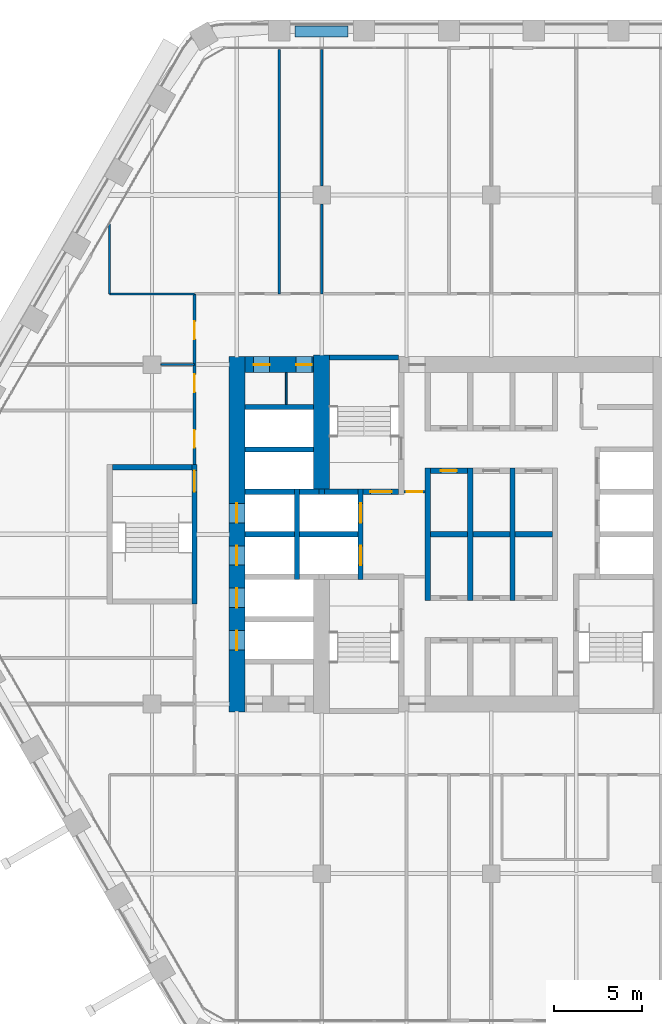
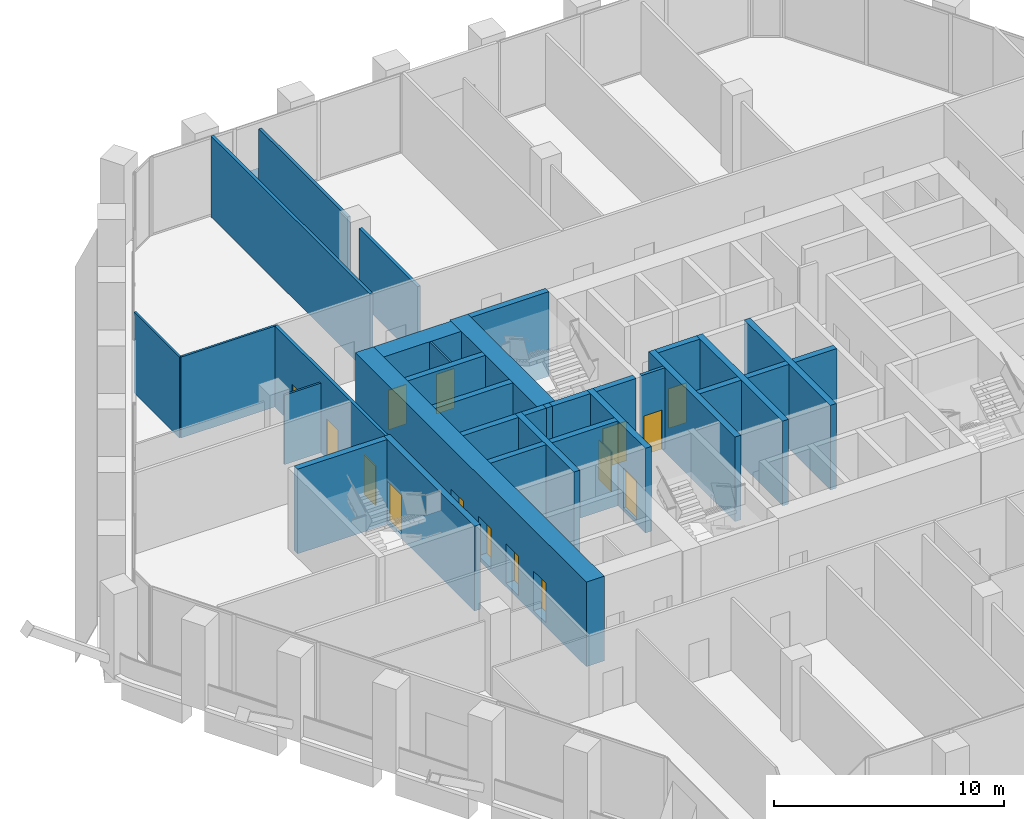
# One storey, part 17 of 26: 34 walls, 15 doors, 15 openings.
"""IFC4 building model written with IfcOpenShell, lengths in metres."""

from ifc_helpers import new_model, si_unit, direction, frame, frame_2d, origin, place, context, subcontext, project, spatial, rectangle, extrude, material, layer, layer_set, type_object, element, fill, save


model = new_model("IFC4")

# Units and contexts
model_context = context("Model", 3, precision=1e-05, world=origin(), true_north=direction((0.0, 1.0)))
body_context = subcontext(model_context, "Body", "Model", "MODEL_VIEW")
ifc_project = project(units=[si_unit("LENGTHUNIT", "METRE"), si_unit("AREAUNIT", "SQUARE_METRE"), si_unit("VOLUMEUNIT", "CUBIC_METRE"), si_unit("PLANEANGLEUNIT", "RADIAN"), si_unit("MASSUNIT", "GRAM", prefix="KILO")], contexts=[model_context])

# Site, building, storey
site_placement = place(None, origin())
site = spatial("IfcSite", under=ifc_project, at=site_placement, CompositionType="ELEMENT")
building_placement = place(site_placement, origin())
building = spatial("IfcBuilding", under=site, at=building_placement, Name="Kolab Exchange Tower", CompositionType="ELEMENT")
storey_placement = place(building_placement, frame((0.0, 0.0, 104.89990234375)))
storey = spatial("IfcBuildingStorey", under=building, at=storey_placement, Name="L20", CompositionType="ELEMENT", Elevation=104.89990234375)

# Wall, openings, doors
ifc_material_1 = material(Name="Concrete C70/85", Category="concrete")
ifc_layer_1 = layer(ifc_material_1, 0.89990234375)
ifc_layer_set_1 = layer_set([ifc_layer_1], Name="Concrete C70/85")
wall_type_1 = type_object("IfcWallType", Name="CORE WALL 900 C70/85", PredefinedType="SHEAR", material=ifc_layer_set_1)
wall_1_placement = place(storey_placement, frame((-13.949951171875, 9.60009765625, -0.199951171875), z_axis=(0.0, 0.0, 1.0), x_axis=(1.0, 0.0, 0.0)))
wall_1 = element("IfcWall", 1, at=wall_1_placement, inside=storey, type_object=wall_type_1, Name="wall/L20/core/051", PredefinedType="SHEAR", context=body_context, shape_type="SweptSolid", body=[
    extrude(rectangle(XDim=3.89990234375, YDim=0.89990234375, at=frame_2d((1.949951171875, 0.0))), origin(), (0.0, 0.0, 1.0), 4.5),
])
opening_1_placement = place(wall_1_placement, frame((0.5, 0.0, 0.199951171875)))
opening_1 = element("IfcOpeningElement", 2, at=opening_1_placement, cuts=wall_1, Name="Opening D6-226", PredefinedType="OPENING", context=body_context, shape_type="SweptSolid", body=[
    extrude(rectangle(XDim=0.89990234375, YDim=2.10009765625, at=frame_2d((0.449951171875, 1.050048828125))), frame((0.0, 0.4599609375, 0.0), z_axis=(0.0, -1.0, 0.0), x_axis=(1.0, 0.0, 0.0)), (0.0, 0.0, 1.0), 0.919921875),
])
opening_2_placement = place(wall_1_placement, frame((2.89990234375, 0.0, 0.199951171875)))
opening_2 = element("IfcOpeningElement", 3, at=opening_2_placement, cuts=wall_1, Name="Opening D6-227", PredefinedType="OPENING", context=body_context, shape_type="SweptSolid", body=[
    extrude(rectangle(XDim=0.89990234375, YDim=2.10009765625, at=frame_2d((0.449951171875, 1.050048828125))), frame((0.0, 0.4599609375, 0.0), z_axis=(0.0, -1.0, 0.0), x_axis=(1.0, 0.0, 0.0)), (0.0, 0.0, 1.0), 0.919921875),
])
ifc_material_2 = material(Name="Steel S235", Category="steel")
door_type_1 = type_object("IfcDoorType", Name="CORE DOOR 900 EI 120", OperationType="SINGLE_SWING_LEFT", PredefinedType="DOOR", material=ifc_material_2)
door_1_placement = place(opening_1_placement, frame((0.89990234375, 0.0, 0.0), z_axis=(0.0, 0.0, 1.0), x_axis=(-1.0, 0.0, 0.0)))
door_1 = element("IfcDoor", 4, at=door_1_placement, inside=storey, type_object=door_type_1, Name="Service room door", OperationType="SINGLE_SWING_LEFT", OverallHeight=2.10009765625, OverallWidth=0.89990234375, PredefinedType="DOOR", context=body_context, shape_type="SweptSolid", body=[
    extrude(rectangle(XDim=0.89990234375, YDim=2.10009765625, at=frame_2d((0.449951171875, 1.050048828125))), frame((0.0, 0.02490234375, 0.0), z_axis=(0.0, -1.0, 0.0), x_axis=(1.0, 0.0, 0.0)), (0.0, 0.0, 1.0), 0.050048828125),
])
fill(opening_1, door_1)
door_2_placement = place(opening_2_placement, frame((0.89990234375, 0.0, 0.0), z_axis=(0.0, 0.0, 1.0), x_axis=(-1.0, 0.0, 0.0)))
door_2 = element("IfcDoor", 5, at=door_2_placement, inside=storey, type_object=door_type_1, Name="Service room door", OperationType="SINGLE_SWING_LEFT", OverallHeight=2.10009765625, OverallWidth=0.89990234375, PredefinedType="DOOR", context=body_context, shape_type="SweptSolid", body=[
    extrude(rectangle(XDim=0.89990234375, YDim=2.10009765625, at=frame_2d((0.449951171875, 1.050048828125))), frame((0.0, 0.02490234375, 0.0), z_axis=(0.0, -1.0, 0.0), x_axis=(1.0, 0.0, 0.0)), (0.0, 0.0, 1.0), 0.050048828125),
])
fill(opening_2, door_2)

wall_2_placement = place(storey_placement, frame((-14.39990234375, -10.050048828125, -0.199951171875), z_axis=(0.0, 0.0, 1.0), x_axis=(0.0, 1.0, 0.0)))
wall_2 = element("IfcWall", 6, at=wall_2_placement, inside=storey, type_object=wall_type_1, Name="wall/L20/core/057", PredefinedType="SHEAR", context=body_context, shape_type="SweptSolid", body=[
    extrude(rectangle(XDim=20.10009765625, YDim=0.89990234375, at=frame_2d((10.050048828125, 0.0))), origin(), (0.0, 0.0, 1.0), 4.5),
])
opening_3_placement = place(wall_2_placement, frame((3.5, 0.0, 0.199951171875)))
opening_3 = element("IfcOpeningElement", 7, at=opening_3_placement, cuts=wall_2, Name="Opening LD1-073", PredefinedType="OPENING", context=body_context, shape_type="SweptSolid", body=[
    extrude(rectangle(XDim=1.10009765625, YDim=2.10009765625, at=frame_2d((0.550048828125, 1.050048828125))), frame((0.0, 0.4599609375, 0.0), z_axis=(0.0, -1.0, 0.0), x_axis=(1.0, 0.0, 0.0)), (0.0, 0.0, 1.0), 0.919921875),
])
opening_4_placement = place(wall_2_placement, frame((5.89990234375, 0.0, 0.199951171875)))
opening_4 = element("IfcOpeningElement", 8, at=opening_4_placement, cuts=wall_2, Name="Opening LD1-074", PredefinedType="OPENING", context=body_context, shape_type="SweptSolid", body=[
    extrude(rectangle(XDim=1.10009765625, YDim=2.10009765625, at=frame_2d((0.550048828125, 1.050048828125))), frame((0.0, 0.4599609375, 0.0), z_axis=(0.0, -1.0, 0.0), x_axis=(1.0, 0.0, 0.0)), (0.0, 0.0, 1.0), 0.919921875),
])
opening_5_placement = place(wall_2_placement, frame((8.300048828125, 0.0, 0.199951171875)))
opening_5 = element("IfcOpeningElement", 9, at=opening_5_placement, cuts=wall_2, Name="Opening LD1-075", PredefinedType="OPENING", context=body_context, shape_type="SweptSolid", body=[
    extrude(rectangle(XDim=1.10009765625, YDim=2.10009765625, at=frame_2d((0.550048828125, 1.050048828125))), frame((0.0, 0.4599609375, 0.0), z_axis=(0.0, -1.0, 0.0), x_axis=(1.0, 0.0, 0.0)), (0.0, 0.0, 1.0), 0.919921875),
])
opening_6_placement = place(wall_2_placement, frame((10.699951171875, 0.0, 0.199951171875)))
opening_6 = element("IfcOpeningElement", 10, at=opening_6_placement, cuts=wall_2, Name="Opening LD1-076", PredefinedType="OPENING", context=body_context, shape_type="SweptSolid", body=[
    extrude(rectangle(XDim=1.10009765625, YDim=2.10009765625, at=frame_2d((0.550048828125, 1.050048828125))), frame((0.0, 0.4599609375, 0.0), z_axis=(0.0, -1.0, 0.0), x_axis=(1.0, 0.0, 0.0)), (0.0, 0.0, 1.0), 0.919921875),
])
ifc_material_3 = material(Name="Stainless steel 316", Category="steel")
door_type_2 = type_object("IfcDoorType", Name="LANDING DOOR 1100 PASSENGER", OperationType="DOUBLE_DOOR_SLIDING", PredefinedType="DOOR", material=ifc_material_3)
door_3_placement = place(opening_3_placement, origin())
door_3 = element("IfcDoor", 11, at=door_3_placement, inside=storey, type_object=door_type_2, Name="Landing door LR5", OperationType="DOUBLE_DOOR_SLIDING", OverallHeight=2.10009765625, OverallWidth=1.10009765625, PredefinedType="DOOR", context=body_context, shape_type="SweptSolid", body=[
    extrude(rectangle(XDim=1.10009765625, YDim=2.10009765625, at=frame_2d((0.550048828125, 1.050048828125))), frame((0.0, 0.02490234375, 0.0), z_axis=(0.0, -1.0, 0.0), x_axis=(1.0, 0.0, 0.0)), (0.0, 0.0, 1.0), 0.050048828125),
])
fill(opening_3, door_3)
door_4_placement = place(opening_4_placement, origin())
door_4 = element("IfcDoor", 12, at=door_4_placement, inside=storey, type_object=door_type_2, Name="Landing door LR6", OperationType="DOUBLE_DOOR_SLIDING", OverallHeight=2.10009765625, OverallWidth=1.10009765625, PredefinedType="DOOR", context=body_context, shape_type="SweptSolid", body=[
    extrude(rectangle(XDim=1.10009765625, YDim=2.10009765625, at=frame_2d((0.550048828125, 1.050048828125))), frame((0.0, 0.02490234375, 0.0), z_axis=(0.0, -1.0, 0.0), x_axis=(1.0, 0.0, 0.0)), (0.0, 0.0, 1.0), 0.050048828125),
])
fill(opening_4, door_4)
door_5_placement = place(opening_5_placement, origin())
door_5 = element("IfcDoor", 13, at=door_5_placement, inside=storey, type_object=door_type_2, Name="Landing door LR7", OperationType="DOUBLE_DOOR_SLIDING", OverallHeight=2.10009765625, OverallWidth=1.10009765625, PredefinedType="DOOR", context=body_context, shape_type="SweptSolid", body=[
    extrude(rectangle(XDim=1.10009765625, YDim=2.10009765625, at=frame_2d((0.550048828125, 1.050048828125))), frame((0.0, 0.02490234375, 0.0), z_axis=(0.0, -1.0, 0.0), x_axis=(1.0, 0.0, 0.0)), (0.0, 0.0, 1.0), 0.050048828125),
])
fill(opening_5, door_5)
door_6_placement = place(opening_6_placement, origin())
door_6 = element("IfcDoor", 14, at=door_6_placement, inside=storey, type_object=door_type_2, Name="Landing door LR8", OperationType="DOUBLE_DOOR_SLIDING", OverallHeight=2.10009765625, OverallWidth=1.10009765625, PredefinedType="DOOR", context=body_context, shape_type="SweptSolid", body=[
    extrude(rectangle(XDim=1.10009765625, YDim=2.10009765625, at=frame_2d((0.550048828125, 1.050048828125))), frame((0.0, 0.02490234375, 0.0), z_axis=(0.0, -1.0, 0.0), x_axis=(1.0, 0.0, 0.0)), (0.0, 0.0, 1.0), 0.050048828125),
])
fill(opening_6, door_6)

# Walls
wall_3_placement = place(storey_placement, frame((-9.60009765625, 2.550048828125, -0.199951171875), z_axis=(0.0, 0.0, 1.0), x_axis=(0.0, 1.0, 0.0)))
element("IfcWall", 15, at=wall_3_placement, inside=storey, type_object=wall_type_1, Name="wall/L20/core/062", PredefinedType="SHEAR", context=body_context, shape_type="SweptSolid", body=[
    extrude(rectangle(XDim=7.599853515625, YDim=0.89990234375, at=frame_2d((3.7998046875, 0.0))), origin(), (0.0, 0.0, 1.0), 4.5),
])
ifc_material_4 = material(Name="Concrete C50/60", Category="concrete")
ifc_layer_2 = layer(ifc_material_4, 0.300048828125)
ifc_layer_set_2 = layer_set([ifc_layer_2], Name="Concrete C50/60")
wall_type_2 = type_object("IfcWallType", Name="LIFT SHAFT WALL 300 C50/60", PredefinedType="STANDARD", material=ifc_layer_set_2)
wall_4_placement = place(storey_placement, frame((-13.949951171875, 0.0, -0.199951171875), z_axis=(0.0, 0.0, 1.0), x_axis=(1.0, 0.0, 0.0)))
element("IfcWall", 16, at=wall_4_placement, inside=storey, type_object=wall_type_2, Name="wall/L20/core/024", PredefinedType="STANDARD", context=body_context, shape_type="SweptSolid", body=[
    extrude(rectangle(XDim=2.800048828125, YDim=0.300048828125, at=frame_2d((1.39990234375, 0.0))), origin(), (0.0, 0.0, 1.0), 4.5),
])
wall_5_placement = place(storey_placement, frame((-10.85009765625, 0.0, -0.199951171875), z_axis=(0.0, 0.0, 1.0), x_axis=(1.0, 0.0, 0.0)))
element("IfcWall", 17, at=wall_5_placement, inside=storey, type_object=wall_type_2, Name="wall/L20/core/025", PredefinedType="STANDARD", context=body_context, shape_type="SweptSolid", body=[
    extrude(rectangle(XDim=3.300048828125, YDim=0.300048828125, at=frame_2d((1.64990234375, 0.0))), origin(), (0.0, 0.0, 1.0), 4.5),
])
wall_6_placement = place(storey_placement, frame((-3.449951171875, 0.0, -0.199951171875), z_axis=(0.0, 0.0, 1.0), x_axis=(1.0, 0.0, 0.0)))
element("IfcWall", 18, at=wall_6_placement, inside=storey, type_object=wall_type_2, Name="wall/L20/core/026", PredefinedType="STANDARD", context=body_context, shape_type="SweptSolid", body=[
    extrude(rectangle(XDim=2.099853515625, YDim=0.300048828125, at=frame_2d((1.0498046875, 0.0))), origin(), (0.0, 0.0, 1.0), 4.5),
])
wall_7_placement = place(storey_placement, frame((-1.050048828125, 0.0, -0.199951171875), z_axis=(0.0, 0.0, 1.0), x_axis=(1.0, 0.0, 0.0)))
element("IfcWall", 19, at=wall_7_placement, inside=storey, type_object=wall_type_2, Name="wall/L20/core/027", PredefinedType="STANDARD", context=body_context, shape_type="SweptSolid", body=[
    extrude(rectangle(XDim=2.10009765625, YDim=0.300048828125, at=frame_2d((1.050048828125, 0.0))), origin(), (0.0, 0.0, 1.0), 4.5),
])
wall_8_placement = place(storey_placement, frame((1.35009765625, 0.0, -0.199951171875), z_axis=(0.0, 0.0, 1.0), x_axis=(1.0, 0.0, 0.0)))
element("IfcWall", 20, at=wall_8_placement, inside=storey, type_object=wall_type_2, Name="wall/L20/core/028", PredefinedType="STANDARD", context=body_context, shape_type="SweptSolid", body=[
    extrude(rectangle(XDim=2.099853515625, YDim=0.300048828125, at=frame_2d((1.0498046875, 0.0))), origin(), (0.0, 0.0, 1.0), 4.5),
])
wall_9_placement = place(storey_placement, frame((-13.949951171875, 2.39990234375, -0.199951171875), z_axis=(0.0, 0.0, 1.0), x_axis=(1.0, 0.0, 0.0)))
element("IfcWall", 21, at=wall_9_placement, inside=storey, type_object=wall_type_2, Name="wall/L20/core/031", PredefinedType="STANDARD", context=body_context, shape_type="SweptSolid", body=[
    extrude(rectangle(XDim=2.800048828125, YDim=0.300048828125, at=frame_2d((1.39990234375, 0.0))), origin(), (0.0, 0.0, 1.0), 4.5),
])
wall_10_placement = place(storey_placement, frame((-10.85009765625, 2.39990234375, -0.199951171875), z_axis=(0.0, 0.0, 1.0), x_axis=(1.0, 0.0, 0.0)))
element("IfcWall", 22, at=wall_10_placement, inside=storey, type_object=wall_type_2, Name="wall/L20/core/032", PredefinedType="STANDARD", context=body_context, shape_type="SweptSolid", body=[
    extrude(rectangle(XDim=1.10009765625, YDim=0.300048828125, at=frame_2d((0.550048828125, 0.0))), origin(), (0.0, 0.0, 1.0), 4.5),
])

# Wall, opening, door
wall_11_placement = place(storey_placement, frame((-3.449951171875, 3.60009765625, -0.199951171875), z_axis=(0.0, 0.0, 1.0), x_axis=(1.0, 0.0, 0.0)))
wall_11 = element("IfcWall", 23, at=wall_11_placement, inside=storey, type_object=wall_type_2, Name="wall/L20/core/037", PredefinedType="STANDARD", context=body_context, shape_type="SweptSolid", body=[
    extrude(rectangle(XDim=2.099853515625, YDim=0.300048828125, at=frame_2d((1.0498046875, 0.0))), origin(), (0.0, 0.0, 1.0), 4.5),
])
opening_7_placement = place(wall_11_placement, frame((0.60009765625, 0.0, 0.199951171875)))
opening_7 = element("IfcOpeningElement", 24, at=opening_7_placement, cuts=wall_11, Name="Opening D6-196", PredefinedType="OPENING", context=body_context, shape_type="SweptSolid", body=[
    extrude(rectangle(XDim=0.89990234375, YDim=2.10009765625, at=frame_2d((0.449951171875, 1.050048828125))), frame((0.0, 0.16015625, 0.0), z_axis=(0.0, -1.0, 0.0), x_axis=(1.0, 0.0, 0.0)), (0.0, 0.0, 1.0), 0.320068359375),
])
door_7_placement = place(opening_7_placement, frame((0.89990234375, 0.0, 0.0), z_axis=(0.0, 0.0, 1.0), x_axis=(-1.0, 0.0, 0.0)))
door_7 = element("IfcDoor", 25, at=door_7_placement, inside=storey, type_object=door_type_1, Name="Service room door", OperationType="SINGLE_SWING_LEFT", OverallHeight=2.10009765625, OverallWidth=0.89990234375, PredefinedType="DOOR", context=body_context, shape_type="SweptSolid", body=[
    extrude(rectangle(XDim=0.89990234375, YDim=2.10009765625, at=frame_2d((0.449951171875, 1.050048828125))), frame((0.0, 0.02490234375, 0.0), z_axis=(0.0, -1.0, 0.0), x_axis=(1.0, 0.0, 0.0)), (0.0, 0.0, 1.0), 0.050048828125),
])
fill(opening_7, door_7)

# Walls
for number, where, z_axis, x_axis, name in (
    (26, (-13.949951171875, 4.800048828125, -0.199951171875), (0.0, 0.0, 1.0), (1.0, 0.0, 0.0), "wall/L20/core/042"),
    (27, (-13.949951171875, 7.199951171875, -0.199951171875), (0.0, 0.0, 1.0), (1.0, 0.0, 0.0), "wall/L20/core/048"),
):
    element("IfcWall", number, at=place(storey_placement, frame(where, z_axis=z_axis, x_axis=x_axis)), inside=storey, type_object=wall_type_2, Name=name, PredefinedType="STANDARD", context=body_context, shape_type="SweptSolid", body=[
        extrude(rectangle(XDim=3.89990234375, YDim=0.300048828125, at=frame_2d((1.949951171875, 0.0))), origin(), (0.0, 0.0, 1.0), 4.5),
    ])
wall_12_placement = place(storey_placement, frame((-11.0, -2.550048828125, -0.199951171875), z_axis=(0.0, 0.0, 1.0), x_axis=(0.0, 1.0, 0.0)))
element("IfcWall", 28, at=wall_12_placement, inside=storey, type_object=wall_type_2, Name="wall/L20/core/058", PredefinedType="STANDARD", context=body_context, shape_type="SweptSolid", body=[
    extrude(rectangle(XDim=5.10009765625, YDim=0.300048828125, at=frame_2d((2.550048828125, 0.0))), origin(), (0.0, 0.0, 1.0), 4.5),
])

# Wall, openings, doors
wall_13_placement = place(storey_placement, frame((-7.39990234375, -2.550048828125, -0.199951171875), z_axis=(0.0, 0.0, 1.0), x_axis=(0.0, 1.0, 0.0)))
wall_13 = element("IfcWall", 29, at=wall_13_placement, inside=storey, type_object=wall_type_2, Name="wall/L20/core/063", PredefinedType="STANDARD", context=body_context, shape_type="SweptSolid", body=[
    extrude(rectangle(XDim=5.10009765625, YDim=0.300048828125, at=frame_2d((2.550048828125, 0.0))), origin(), (0.0, 0.0, 1.0), 4.5),
])
opening_8_placement = place(wall_13_placement, frame((0.800048828125, 0.0, 0.199951171875)))
opening_8 = element("IfcOpeningElement", 30, at=opening_8_placement, cuts=wall_13, Name="Opening LD2-017", PredefinedType="OPENING", context=body_context, shape_type="SweptSolid", body=[
    extrude(rectangle(XDim=1.10009765625, YDim=2.10009765625, at=frame_2d((0.550048828125, 1.050048828125))), frame((0.0, 0.16015625, 0.0), z_axis=(0.0, -1.0, 0.0), x_axis=(1.0, 0.0, 0.0)), (0.0, 0.0, 1.0), 0.320068359375),
])
opening_9_placement = place(wall_13_placement, frame((3.199951171875, 0.0, 0.199951171875)))
opening_9 = element("IfcOpeningElement", 31, at=opening_9_placement, cuts=wall_13, Name="Opening LD2-018", PredefinedType="OPENING", context=body_context, shape_type="SweptSolid", body=[
    extrude(rectangle(XDim=1.10009765625, YDim=2.10009765625, at=frame_2d((0.550048828125, 1.050048828125))), frame((0.0, 0.16015625, 0.0), z_axis=(0.0, -1.0, 0.0), x_axis=(1.0, 0.0, 0.0)), (0.0, 0.0, 1.0), 0.320068359375),
])
door_type_3 = type_object("IfcDoorType", Name="LANDING DOOR 1100 FIREFIGHTING", OperationType="DOUBLE_DOOR_SLIDING", PredefinedType="DOOR", material=ifc_material_3)
door_8_placement = place(opening_8_placement, origin())
door_8 = element("IfcDoor", 32, at=door_8_placement, inside=storey, type_object=door_type_3, Name="Landing door FF1", OperationType="DOUBLE_DOOR_SLIDING", OverallHeight=2.10009765625, OverallWidth=1.10009765625, PredefinedType="DOOR", context=body_context, shape_type="SweptSolid", body=[
    extrude(rectangle(XDim=1.10009765625, YDim=2.10009765625, at=frame_2d((0.550048828125, 1.050048828125))), frame((0.0, 0.02490234375, 0.0), z_axis=(0.0, -1.0, 0.0), x_axis=(1.0, 0.0, 0.0)), (0.0, 0.0, 1.0), 0.050048828125),
])
fill(opening_8, door_8)
door_9_placement = place(opening_9_placement, origin())
door_9 = element("IfcDoor", 33, at=door_9_placement, inside=storey, type_object=door_type_3, Name="Landing door FF2", OperationType="DOUBLE_DOOR_SLIDING", OverallHeight=2.10009765625, OverallWidth=1.10009765625, PredefinedType="DOOR", context=body_context, shape_type="SweptSolid", body=[
    extrude(rectangle(XDim=1.10009765625, YDim=2.10009765625, at=frame_2d((0.550048828125, 1.050048828125))), frame((0.0, 0.02490234375, 0.0), z_axis=(0.0, -1.0, 0.0), x_axis=(1.0, 0.0, 0.0)), (0.0, 0.0, 1.0), 0.050048828125),
])
fill(opening_9, door_9)

# Walls
for number, where, z_axis, x_axis, name in (
    (34, (-3.60009765625, -3.75, -0.199951171875), (0.0, 0.0, 1.0), (0.0, 1.0, 0.0), "wall/L20/core/067"),
    (35, (-1.199951171875, -3.75, -0.199951171875), (0.0, 0.0, 1.0), (0.0, 1.0, 0.0), "wall/L20/core/070"),
    (36, (1.199951171875, -3.75, -0.199951171875), (0.0, 0.0, 1.0), (0.0, 1.0, 0.0), "wall/L20/core/073"),
):
    element("IfcWall", number, at=place(storey_placement, frame(where, z_axis=z_axis, x_axis=x_axis)), inside=storey, type_object=wall_type_2, Name=name, PredefinedType="STANDARD", context=body_context, shape_type="SweptSolid", body=[
        extrude(rectangle(XDim=7.5, YDim=0.300048828125, at=frame_2d((3.75, 0.0))), origin(), (0.0, 0.0, 1.0), 4.5),
    ])
ifc_material_5 = material(Name="Gypsum board", Category="gypsum")
ifc_layer_3 = layer(ifc_material_5, 0.10009765625)
ifc_layer_set_3 = layer_set([ifc_layer_3], Name="Gypsum board")
wall_type_3 = type_object("IfcWallType", Name="PARTITION 100", PredefinedType="PARTITIONING", material=ifc_layer_set_3)
wall_14_placement = place(storey_placement, frame((-11.60009765625, 7.35009765625, 0.0), z_axis=(0.0, 0.0, 1.0), x_axis=(0.0, 1.0, 0.0)))
element("IfcWall", 37, at=wall_14_placement, inside=storey, type_object=wall_type_3, Name="Partition 027", PredefinedType="PARTITIONING", context=body_context, shape_type="SweptSolid", body=[
    extrude(rectangle(XDim=1.7998046875, YDim=0.10009765625, at=frame_2d((0.89990234375, 0.0))), origin(), (0.0, 0.0, 1.0), 4.300048828125),
])
wall_15_placement = place(storey_placement, frame((-21.60009765625, 13.60009765625, 0.0), z_axis=(0.0, 0.0, 1.0), x_axis=(0.0, 1.0, 0.0)))
element("IfcWall", 38, at=wall_15_placement, inside=storey, type_object=wall_type_3, Name="Partition 034", PredefinedType="PARTITIONING", context=body_context, shape_type="SweptSolid", body=[
    extrude(rectangle(XDim=3.944580078125, YDim=0.10009765625, at=frame_2d((1.97216796875, 0.0))), origin(), (0.0, 0.0, 1.0), 4.300048828125),
])
wall_16_placement = place(storey_placement, frame((-18.699951171875, 9.60009765625, 0.0), z_axis=(0.0, 0.0, 1.0), x_axis=(1.0, 0.0, 0.0)))
element("IfcWall", 39, at=wall_16_placement, inside=storey, type_object=wall_type_3, Name="Partition 051", PredefinedType="PARTITIONING", context=body_context, shape_type="SweptSolid", body=[
    extrude(rectangle(XDim=1.89990234375, YDim=0.10009765625, at=frame_2d((0.949951171875, 0.0))), origin(), (0.0, 0.0, 1.0), 3.692138671875),
])
wall_17_placement = place(storey_placement, frame((-21.60009765625, 13.60009765625, 0.0), z_axis=(0.0, 0.0, 1.0), x_axis=(1.0, 0.0, 0.0)))
element("IfcWall", 40, at=wall_17_placement, inside=storey, type_object=wall_type_3, Name="Partition 054", PredefinedType="PARTITIONING", context=body_context, shape_type="SweptSolid", body=[
    extrude(rectangle(XDim=4.800048828125, YDim=0.10009765625, at=frame_2d((2.39990234375, 0.0))), origin(), (0.0, 0.0, 1.0), 4.300048828125),
])
ifc_layer_4 = layer(ifc_material_5, 0.14990234375)
ifc_layer_set_4 = layer_set([ifc_layer_4], Name="Gypsum board")
wall_type_4 = type_object("IfcWallType", Name="PARTITION 150 FIRE-RATED", PredefinedType="PARTITIONING", material=ifc_layer_set_4)
wall_18_placement = place(storey_placement, frame((-9.60009765625, 13.60009765625, 0.0), z_axis=(0.0, 0.0, 1.0), x_axis=(0.0, 1.0, 0.0)))
element("IfcWall", 41, at=wall_18_placement, inside=storey, type_object=wall_type_4, Name="Partition 025", PredefinedType="PARTITIONING", context=body_context, shape_type="SweptSolid", body=[
    extrude(rectangle(XDim=5.099853515625, YDim=0.14990234375, at=frame_2d((2.5498046875, 0.0))), origin(), (0.0, 0.0, 1.0), 3.843017578125),
])
wall_19_placement = place(storey_placement, frame((-9.60009765625, 19.699951171875, 0.0), z_axis=(0.0, 0.0, 1.0), x_axis=(0.0, 1.0, 0.0)))
element("IfcWall", 42, at=wall_19_placement, inside=storey, type_object=wall_type_4, Name="Partition 026", PredefinedType="PARTITIONING", context=body_context, shape_type="SweptSolid", body=[
    extrude(rectangle(XDim=7.728515625, YDim=0.14990234375, at=frame_2d((3.8642578125, 0.0))), origin(), (0.0, 0.0, 1.0), 3.843017578125),
])
wall_20_placement = place(storey_placement, frame((-12.0, 13.60009765625, 0.0), z_axis=(0.0, 0.0, 1.0), x_axis=(0.0, 1.0, 0.0)))
element("IfcWall", 43, at=wall_20_placement, inside=storey, type_object=wall_type_4, Name="Partition 028", PredefinedType="PARTITIONING", context=body_context, shape_type="SweptSolid", body=[
    extrude(rectangle(XDim=13.828369140625, YDim=0.14990234375, at=frame_2d((6.9140625, 0.0))), origin(), (0.0, 0.0, 1.0), 4.300048828125),
])

# Wall, openings, doors
wall_21_placement = place(storey_placement, frame((-16.800048828125, 3.949951171875, 0.0), z_axis=(0.0, 0.0, 1.0), x_axis=(0.0, 1.0, 0.0)))
wall_21 = element("IfcWall", 44, at=wall_21_placement, inside=storey, type_object=wall_type_4, Name="Partition 032", PredefinedType="PARTITIONING", context=body_context, shape_type="SweptSolid", body=[
    extrude(rectangle(XDim=9.650146484375, YDim=0.14990234375, at=frame_2d((4.8251953125, 0.0))), origin(), (0.0, 0.0, 1.0), 4.300048828125),
])
opening_10_placement = place(wall_21_placement, frame((0.949951171875, 0.0, 0.0)))
opening_10 = element("IfcOpeningElement", 45, at=opening_10_placement, cuts=wall_21, Name="Opening D1-279", PredefinedType="OPENING", context=body_context, shape_type="SweptSolid", body=[
    extrude(rectangle(XDim=1.0, YDim=2.10009765625, at=frame_2d((0.5, 1.050048828125))), frame((0.0, 0.0849609375, 0.0), z_axis=(0.0, -1.0, 0.0), x_axis=(1.0, 0.0, 0.0)), (0.0, 0.0, 1.0), 0.169921875),
])
opening_11_placement = place(wall_21_placement, frame((4.094970703125, 0.0, 0.0)))
opening_11 = element("IfcOpeningElement", 46, at=opening_11_placement, cuts=wall_21, Name="Opening D1-280", PredefinedType="OPENING", context=body_context, shape_type="SweptSolid", body=[
    extrude(rectangle(XDim=1.0, YDim=2.10009765625, at=frame_2d((0.5, 1.050048828125))), frame((0.0, 0.0849609375, 0.0), z_axis=(0.0, -1.0, 0.0), x_axis=(1.0, 0.0, 0.0)), (0.0, 0.0, 1.0), 0.169921875),
])
opening_12_placement = place(wall_21_placement, frame((7.094970703125, 0.0, 0.0)))
opening_12 = element("IfcOpeningElement", 47, at=opening_12_placement, cuts=wall_21, Name="Opening D1-281", PredefinedType="OPENING", context=body_context, shape_type="SweptSolid", body=[
    extrude(rectangle(XDim=1.0, YDim=2.10009765625, at=frame_2d((0.5, 1.050048828125))), frame((0.0, 0.0849609375, 0.0), z_axis=(0.0, -1.0, 0.0), x_axis=(1.0, 0.0, 0.0)), (0.0, 0.0, 1.0), 0.169921875),
])
door_type_4 = type_object("IfcDoorType", Name="FLUSH DOOR 1000 FD60", OperationType="SINGLE_SWING_LEFT", PredefinedType="DOOR", material=ifc_material_2)
door_10_placement = place(opening_10_placement, origin())
door_10 = element("IfcDoor", 48, at=door_10_placement, inside=storey, type_object=door_type_4, Name="Door L20-073", OperationType="SINGLE_SWING_RIGHT", OverallHeight=2.10009765625, OverallWidth=1.0, PredefinedType="DOOR", context=body_context, shape_type="SweptSolid", body=[
    extrude(rectangle(XDim=1.0, YDim=2.10009765625, at=frame_2d((0.5, 1.050048828125))), frame((0.0, 0.02490234375, 0.0), z_axis=(0.0, -1.0, 0.0), x_axis=(1.0, 0.0, 0.0)), (0.0, 0.0, 1.0), 0.050048828125),
])
fill(opening_10, door_10)
door_11_placement = place(opening_11_placement, origin())
door_11 = element("IfcDoor", 49, at=door_11_placement, inside=storey, type_object=door_type_4, Name="Door L20-074", OperationType="SINGLE_SWING_RIGHT", OverallHeight=2.10009765625, OverallWidth=1.0, PredefinedType="DOOR", context=body_context, shape_type="SweptSolid", body=[
    extrude(rectangle(XDim=1.0, YDim=2.10009765625, at=frame_2d((0.5, 1.050048828125))), frame((0.0, 0.02490234375, 0.0), z_axis=(0.0, -1.0, 0.0), x_axis=(1.0, 0.0, 0.0)), (0.0, 0.0, 1.0), 0.050048828125),
])
fill(opening_11, door_11)
door_12_placement = place(opening_12_placement, origin())
door_12 = element("IfcDoor", 50, at=door_12_placement, inside=storey, type_object=door_type_4, Name="Door L20-075", OperationType="SINGLE_SWING_LEFT", OverallHeight=2.10009765625, OverallWidth=1.0, PredefinedType="DOOR", context=body_context, shape_type="SweptSolid", body=[
    extrude(rectangle(XDim=1.0, YDim=2.10009765625, at=frame_2d((0.5, 1.050048828125))), frame((0.0, 0.02490234375, 0.0), z_axis=(0.0, -1.0, 0.0), x_axis=(1.0, 0.0, 0.0)), (0.0, 0.0, 1.0), 0.050048828125),
])
fill(opening_12, door_12)

# Wall, opening, door
wall_22_placement = place(storey_placement, frame((-4.949951171875, 2.39990234375, 0.0), z_axis=(0.0, 0.0, 1.0), x_axis=(1.0, 0.0, 0.0)))
wall_22 = element("IfcWall", 51, at=wall_22_placement, inside=storey, type_object=wall_type_4, Name="Fire partition", PredefinedType="PARTITIONING", context=body_context, shape_type="SweptSolid", body=[
    extrude(rectangle(XDim=1.199951171875, YDim=0.14990234375, at=frame_2d((0.60009765625, 0.0))), origin(), (0.0, 0.0, 1.0), 4.300048828125),
])
opening_13_placement = place(wall_22_placement, frame((0.14990234375, 0.0, 0.0)))
opening_13 = element("IfcOpeningElement", 52, at=opening_13_placement, cuts=wall_22, Name="Opening D6-204", PredefinedType="OPENING", context=body_context, shape_type="SweptSolid", body=[
    extrude(rectangle(XDim=0.89990234375, YDim=2.10009765625, at=frame_2d((0.449951171875, 1.050048828125))), frame((0.0, 0.0849609375, 0.0), z_axis=(0.0, -1.0, 0.0), x_axis=(1.0, 0.0, 0.0)), (0.0, 0.0, 1.0), 0.169921875),
])
door_13_placement = place(opening_13_placement, frame((0.89990234375, 0.0, 0.0), z_axis=(0.0, 0.0, 1.0), x_axis=(-1.0, 0.0, 0.0)))
door_13 = element("IfcDoor", 53, at=door_13_placement, inside=storey, type_object=door_type_1, Name="Firefighting lobby door", OperationType="SINGLE_SWING_RIGHT", OverallHeight=2.10009765625, OverallWidth=0.89990234375, PredefinedType="DOOR", context=body_context, shape_type="SweptSolid", body=[
    extrude(rectangle(XDim=0.89990234375, YDim=2.10009765625, at=frame_2d((0.449951171875, 1.050048828125))), frame((0.0, 0.02490234375, 0.0), z_axis=(0.0, -1.0, 0.0), x_axis=(1.0, 0.0, 0.0)), (0.0, 0.0, 1.0), 0.050048828125),
])
fill(opening_13, door_13)

# Walls
ifc_material_6 = material(Name="Granite facing", Category="masonry")
ifc_layer_5 = layer(ifc_material_6, 0.0400390625)
ifc_material_7 = material(Name="Concrete C40/50 precast", Category="concrete")
ifc_layer_6 = layer(ifc_material_7, 0.56005859375)
ifc_layer_set_5 = layer_set([ifc_layer_5, ifc_layer_6], Name="Concrete C40/50 precast")
wall_type_5 = type_object("IfcWallType", Name="PLANTER BOX 600 X 700 SOIL DEPTH 550", PredefinedType="USERDEFINED", material=ifc_layer_set_5)
wall_23_placement = place(storey_placement, frame((-11.10009765625, 28.448486328125, 0.0), z_axis=(0.0, 0.0, 1.0), x_axis=(1.0, 0.0, 0.0)))
element("IfcWall", 54, at=wall_23_placement, inside=storey, type_object=wall_type_5, Name="Planter", ObjectType="PLANTER", PredefinedType="USERDEFINED", context=body_context, shape_type="SweptSolid", body=[
    extrude(rectangle(XDim=3.0, YDim=0.60009765625, at=frame_2d((1.5, 0.0))), origin(), (0.0, 0.0, 1.0), 0.7001953125),
])
ifc_layer_7 = layer(ifc_material_4, 0.300048828125)
ifc_layer_set_6 = layer_set([ifc_layer_7], Name="Concrete C50/60")
wall_type_6 = type_object("IfcWallType", Name="STAIR ENCLOSURE WALL 300 C50/60", PredefinedType="STANDARD", material=ifc_layer_set_6)
wall_24_placement = place(storey_placement, frame((-9.449951171875, 2.39990234375, -0.199951171875), z_axis=(0.0, 0.0, 1.0), x_axis=(1.0, 0.0, 0.0)))
element("IfcWall", 55, at=wall_24_placement, inside=storey, type_object=wall_type_6, Name="wall/L20/core/033", PredefinedType="STANDARD", context=body_context, shape_type="SweptSolid", body=[
    extrude(rectangle(XDim=1.89990234375, YDim=0.300048828125, at=frame_2d((0.949951171875, 0.0))), origin(), (0.0, 0.0, 1.0), 4.5),
])

# Wall, opening, door
wall_25_placement = place(storey_placement, frame((-7.25, 2.39990234375, -0.199951171875), z_axis=(0.0, 0.0, 1.0), x_axis=(1.0, 0.0, 0.0)))
wall_25 = element("IfcWall", 56, at=wall_25_placement, inside=storey, type_object=wall_type_6, Name="wall/L20/core/034", PredefinedType="STANDARD", context=body_context, shape_type="SweptSolid", body=[
    extrude(rectangle(XDim=2.0, YDim=0.300048828125, at=frame_2d((1.0, 0.0))), origin(), (0.0, 0.0, 1.0), 4.5),
])
opening_14_placement = place(wall_25_placement, frame((0.39990234375, 0.0, 0.199951171875)))
opening_14 = element("IfcOpeningElement", 57, at=opening_14_placement, cuts=wall_25, Name="Opening D4-043", PredefinedType="OPENING", context=body_context, shape_type="SweptSolid", body=[
    extrude(rectangle(XDim=1.199951171875, YDim=2.10009765625, at=frame_2d((0.60009765625, 1.050048828125))), frame((0.0, 0.16015625, 0.0), z_axis=(0.0, -1.0, 0.0), x_axis=(1.0, 0.0, 0.0)), (0.0, 0.0, 1.0), 0.320068359375),
])
door_type_5 = type_object("IfcDoorType", Name="STAIR DOOR 1200 EI 120", OperationType="SINGLE_SWING_LEFT", PredefinedType="DOOR", material=ifc_material_2)
door_14_placement = place(opening_14_placement, origin())
door_14 = element("IfcDoor", 58, at=door_14_placement, inside=storey, type_object=door_type_5, Name="Stair 1 door", OperationType="SINGLE_SWING_RIGHT", OverallHeight=2.10009765625, OverallWidth=1.199951171875, PredefinedType="DOOR", context=body_context, shape_type="SweptSolid", body=[
    extrude(rectangle(XDim=1.199951171875, YDim=2.10009765625, at=frame_2d((0.60009765625, 1.050048828125))), frame((0.0, 0.02490234375, 0.0), z_axis=(0.0, -1.0, 0.0), x_axis=(1.0, 0.0, 0.0)), (0.0, 0.0, 1.0), 0.050048828125),
])
fill(opening_14, door_14)

# Walls
wall_26_placement = place(storey_placement, frame((-21.449951171875, 3.800048828125, -0.199951171875), z_axis=(0.0, 0.0, 1.0), x_axis=(1.0, 0.0, 0.0)))
element("IfcWall", 59, at=wall_26_placement, inside=storey, type_object=wall_type_6, Name="wall/L20/core/040", PredefinedType="STANDARD", context=body_context, shape_type="SweptSolid", body=[
    extrude(rectangle(XDim=4.5, YDim=0.300048828125, at=frame_2d((2.25, 0.0))), origin(), (0.0, 0.0, 1.0), 4.5),
])
wall_27_placement = place(storey_placement, frame((-9.14990234375, 10.0, -0.199951171875), z_axis=(0.0, 0.0, 1.0), x_axis=(1.0, 0.0, 0.0)))
element("IfcWall", 60, at=wall_27_placement, inside=storey, type_object=wall_type_6, Name="wall/L20/core/054", PredefinedType="STANDARD", context=body_context, shape_type="SweptSolid", body=[
    extrude(rectangle(XDim=3.89990234375, YDim=0.300048828125, at=frame_2d((1.949951171875, 0.0))), origin(), (0.0, 0.0, 1.0), 4.5),
])

# Wall, opening, door
wall_28_placement = place(storey_placement, frame((-16.800048828125, -3.949951171875, -0.199951171875), z_axis=(0.0, 0.0, 1.0), x_axis=(0.0, 1.0, 0.0)))
wall_28 = element("IfcWall", 61, at=wall_28_placement, inside=storey, type_object=wall_type_6, Name="wall/L20/core/056", PredefinedType="STANDARD", context=body_context, shape_type="SweptSolid", body=[
    extrude(rectangle(XDim=7.89990234375, YDim=0.300048828125, at=frame_2d((3.949951171875, 0.0))), origin(), (0.0, 0.0, 1.0), 4.5),
])
opening_15_placement = place(wall_28_placement, frame((6.35009765625, 0.0, 0.199951171875)))
opening_15 = element("IfcOpeningElement", 62, at=opening_15_placement, cuts=wall_28, Name="Opening D4-048", PredefinedType="OPENING", context=body_context, shape_type="SweptSolid", body=[
    extrude(rectangle(XDim=1.199951171875, YDim=2.10009765625, at=frame_2d((0.60009765625, 1.050048828125))), frame((0.0, 0.16015625, 0.0), z_axis=(0.0, -1.0, 0.0), x_axis=(1.0, 0.0, 0.0)), (0.0, 0.0, 1.0), 0.320068359375),
])
door_15_placement = place(opening_15_placement, origin())
door_15 = element("IfcDoor", 63, at=door_15_placement, inside=storey, type_object=door_type_5, Name="Stair 5 door", OperationType="SINGLE_SWING_RIGHT", OverallHeight=2.10009765625, OverallWidth=1.199951171875, PredefinedType="DOOR", context=body_context, shape_type="SweptSolid", body=[
    extrude(rectangle(XDim=1.199951171875, YDim=2.10009765625, at=frame_2d((0.60009765625, 1.050048828125))), frame((0.0, 0.02490234375, 0.0), z_axis=(0.0, -1.0, 0.0), x_axis=(1.0, 0.0, 0.0)), (0.0, 0.0, 1.0), 0.050048828125),
])
fill(opening_15, door_15)

# Wall
wall_29_placement = place(storey_placement, frame((-9.60009765625, 2.25, -0.199951171875), z_axis=(0.0, 0.0, 1.0), x_axis=(0.0, 1.0, 0.0)))
element("IfcWall", 64, at=wall_29_placement, inside=storey, type_object=wall_type_6, Name="wall/L20/core/061", PredefinedType="STANDARD", context=body_context, shape_type="SweptSolid", body=[
    extrude(rectangle(XDim=0.300048828125, YDim=0.300048828125, at=frame_2d((0.14990234375, 0.0))), origin(), (0.0, 0.0, 1.0), 4.5),
])

save(model, "model.ifc")
